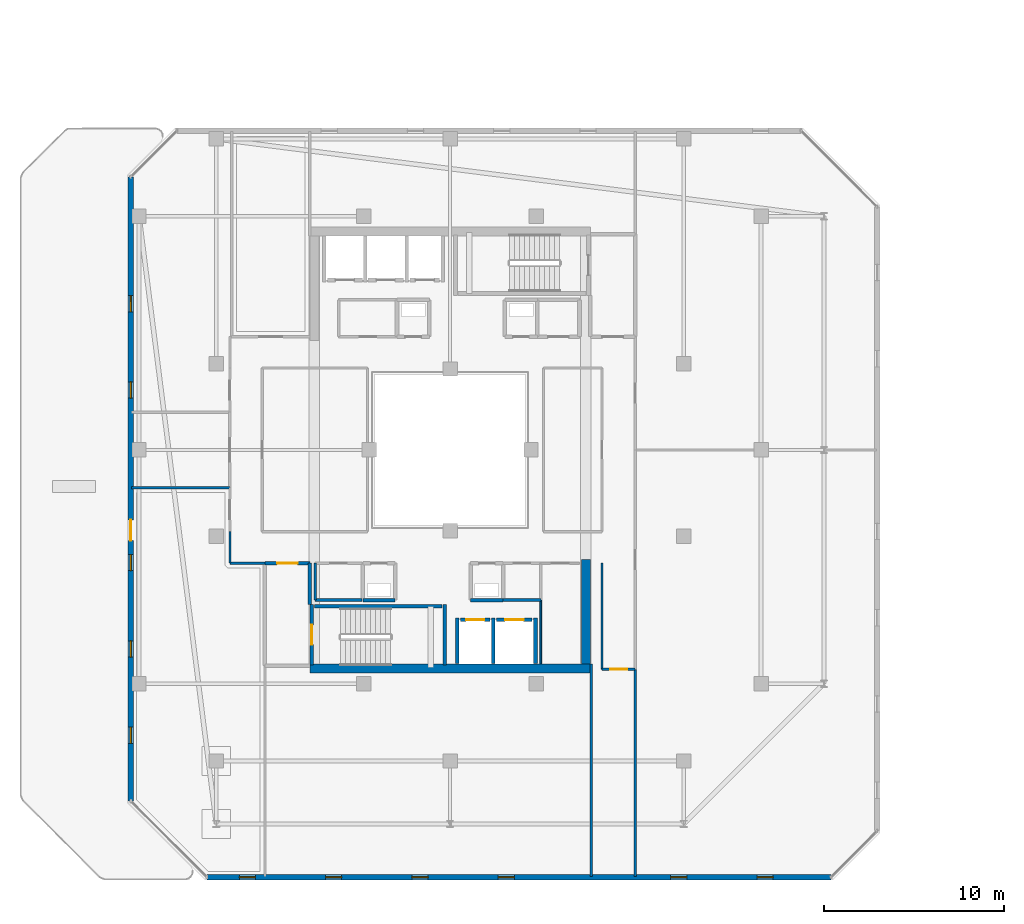
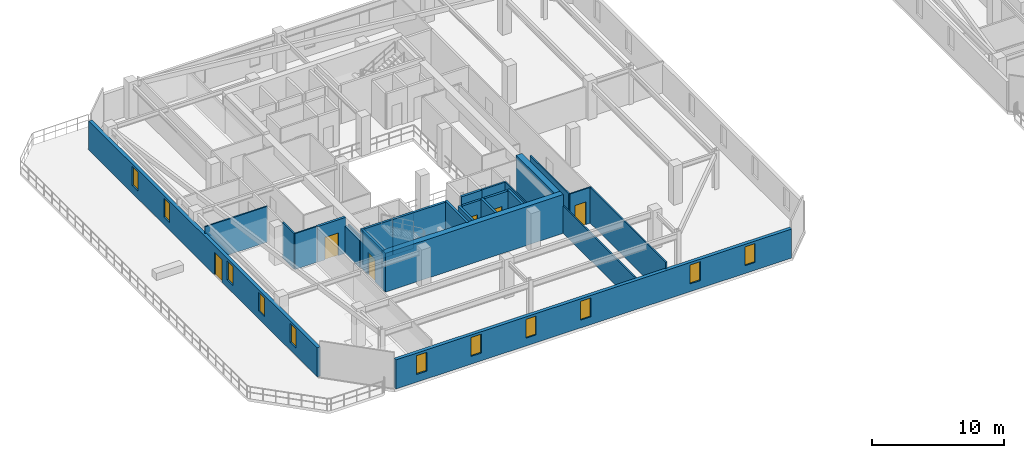
# One storey, part 18 of 31: 27 walls, 11 windows, 6 doors, 17 openings.
"""IFC4 building model written with IfcOpenShell, lengths in metres."""

from ifc_helpers import new_model, si_unit, direction, frame, frame_2d, origin, place, context, subcontext, project, spatial, rectangle, extrude, material, layer, layer_set, type_object, element, fill, save


model = new_model("IFC4")

# Units and contexts
model_context = context("Model", 3, precision=1e-05, world=origin(), true_north=direction((0.0, 1.0)))
body_context = subcontext(model_context, "Body", "Model", "MODEL_VIEW")
ifc_project = project(units=[si_unit("LENGTHUNIT", "METRE"), si_unit("AREAUNIT", "SQUARE_METRE"), si_unit("VOLUMEUNIT", "CUBIC_METRE"), si_unit("PLANEANGLEUNIT", "RADIAN"), si_unit("MASSUNIT", "GRAM", prefix="KILO")], contexts=[model_context])

# Site, building, storey
site_placement = place(None, origin())
site = spatial("IfcSite", under=ifc_project, at=site_placement, CompositionType="ELEMENT")
building_placement = place(site_placement, origin())
building = spatial("IfcBuilding", under=site, at=building_placement, Name="Thornwick Lancets Civic Towers", CompositionType="ELEMENT")
storey_placement = place(building_placement, frame((0.0, 0.0, 254.699951171875)))
storey = spatial("IfcBuildingStorey", under=building, at=storey_placement, Name="L68", CompositionType="ELEMENT", Elevation=254.699951171875)

# Wall, opening, door
ifc_material_1 = material(Name="Concrete blockwork C40/50", Category="masonry")
ifc_layer_1 = layer(ifc_material_1, 0.199951171875, Name="Concrete blockwork C40/50")
ifc_layer_set_1 = layer_set([ifc_layer_1], Name="Concrete blockwork C40/50")
wall_type_1 = type_object("IfcWallType", Name="WALL_COMP_200", PredefinedType="STANDARD", material=ifc_layer_set_1)
wall_1_placement = place(storey_placement, frame((26.080078125, 17.550048828125, 0.0), z_axis=(0.0, 0.0, 1.0), x_axis=(1.0, 0.0, 0.0)))
wall_1 = element("IfcWall", 1, at=wall_1_placement, inside=storey, type_object=wall_type_1, Name="L68 Hoistway Front Wall FL-A1", PredefinedType="STANDARD", context=body_context, shape_type="SweptSolid", body=[
    extrude(rectangle(XDim=1.639892578125, YDim=0.199951171875, at=frame_2d((0.81982421875, 0.0))), origin(), (0.0, 0.0, 1.0), 3.320068359375),
])
opening_1_placement = place(wall_1_placement, frame((0.31005859375, 0.0, 0.0)))
opening_1 = element("IfcOpeningElement", 2, at=opening_1_placement, cuts=wall_1, Name="Opening LD-FL-A1", PredefinedType="OPENING", context=body_context, shape_type="SweptSolid", body=[
    extrude(rectangle(XDim=1.02001953125, YDim=2.06005859375, at=frame_2d((0.510009765625, 1.030029296875))), frame((0.0, 0.10986328125, 0.0), z_axis=(0.0, -1.0, 0.0), x_axis=(1.0, 0.0, 0.0)), (0.0, 0.0, 1.0), 0.219970703125),
])
ifc_material_2 = material(Name="Brushed bronze stainless steel", Category="steel")
door_type_1 = type_object("IfcDoorType", Name="DOOR_LIFT_SLIDE", OperationType="SLIDING_TO_LEFT", PredefinedType="DOOR", material=ifc_material_2)
door_1_placement = place(opening_1_placement, origin())
door_1 = element("IfcDoor", 3, at=door_1_placement, inside=storey, type_object=door_type_1, Name="L68 Sliding Lift Landing Door LD-FL-A1", OperationType="SLIDING_TO_LEFT", OverallHeight=2.06005859375, OverallWidth=1.02001953125, PredefinedType="DOOR", context=body_context, shape_type="SweptSolid", body=[
    extrude(rectangle(XDim=1.02001953125, YDim=2.06005859375, at=frame_2d((0.510009765625, 1.030029296875))), frame((0.0, 0.02490234375, 0.0), z_axis=(0.0, -1.0, 0.0), x_axis=(1.0, 0.0, 0.0)), (0.0, 0.0, 1.0), 0.050048828125),
])
fill(opening_1, door_1)

wall_2_placement = place(storey_placement, frame((28.080078125, 17.550048828125, 0.0), z_axis=(0.0, 0.0, 1.0), x_axis=(1.0, 0.0, 0.0)))
wall_2 = element("IfcWall", 4, at=wall_2_placement, inside=storey, type_object=wall_type_1, Name="L68 Hoistway Front Wall PL-AH1", PredefinedType="STANDARD", context=body_context, shape_type="SweptSolid", body=[
    extrude(rectangle(XDim=1.989990234375, YDim=0.199951171875, at=frame_2d((0.9951171875, 0.0))), origin(), (0.0, 0.0, 1.0), 3.320068359375),
])
opening_2_placement = place(wall_2_placement, frame((0.485107421875, 0.0, 0.0)))
opening_2 = element("IfcOpeningElement", 5, at=opening_2_placement, cuts=wall_2, Name="Opening LD-PL-AH1", PredefinedType="OPENING", context=body_context, shape_type="SweptSolid", body=[
    extrude(rectangle(XDim=1.02001953125, YDim=2.06005859375, at=frame_2d((0.510009765625, 1.030029296875))), frame((0.0, 0.10986328125, 0.0), z_axis=(0.0, -1.0, 0.0), x_axis=(1.0, 0.0, 0.0)), (0.0, 0.0, 1.0), 0.219970703125),
])
door_2_placement = place(opening_2_placement, origin())
door_2 = element("IfcDoor", 6, at=door_2_placement, inside=storey, type_object=door_type_1, Name="L68 Sliding Lift Landing Door LD-PL-AH1", OperationType="SLIDING_TO_LEFT", OverallHeight=2.06005859375, OverallWidth=1.02001953125, PredefinedType="DOOR", context=body_context, shape_type="SweptSolid", body=[
    extrude(rectangle(XDim=1.02001953125, YDim=2.06005859375, at=frame_2d((0.510009765625, 1.030029296875))), frame((0.0, 0.02490234375, 0.0), z_axis=(0.0, -1.0, 0.0), x_axis=(1.0, 0.0, 0.0)), (0.0, 0.0, 1.0), 0.050048828125),
])
fill(opening_2, door_2)

# Walls
for number, where, z_axis, x_axis, name in (
    (7, (27.89990234375, 15.112060546875, 0.0), (0.0, 0.0, 1.0), (0.0, 1.0, 0.0), "L68 Hoistway Shaft Wall FL-A1 E"),
    (8, (25.89990234375, 15.112060546875, 0.0), (0.0, 0.0, 1.0), (0.0, 1.0, 0.0), "L68 Hoistway Shaft Wall FL-A1 W"),
    (9, (30.25, 15.112060546875, 0.0), (0.0, 0.0, 1.0), (0.0, 1.0, 0.0), "L68 Hoistway Shaft Wall PL-AH1 E"),
):
    element("IfcWall", number, at=place(storey_placement, frame(where, z_axis=z_axis, x_axis=x_axis)), inside=storey, type_object=wall_type_1, Name=name, PredefinedType="STANDARD", context=body_context, shape_type="SweptSolid", body=[
        extrude(rectangle(XDim=2.535888671875, YDim=0.199951171875, at=frame_2d((1.26806640625, 0.0))), origin(), (0.0, 0.0, 1.0), 3.320068359375),
    ])
wall_3_placement = place(storey_placement, frame((17.699951171875, 18.39990234375, 0.0), z_axis=(0.0, 0.0, 1.0), x_axis=(0.0, 1.0, 0.0)))
element("IfcWall", 10, at=wall_3_placement, inside=storey, type_object=wall_type_1, Name="L68 Partition L68-A-FFLOB1 E2", PredefinedType="STANDARD", context=body_context, shape_type="SweptSolid", body=[
    extrude(rectangle(XDim=2.300048828125, YDim=0.199951171875, at=frame_2d((1.14990234375, 0.0))), origin(), (0.0, 0.0, 1.0), 2.525146484375),
])

# Wall, opening, door
wall_4_placement = place(storey_placement, frame((17.699951171875, 20.699951171875, 0.0), z_axis=(0.0, 0.0, 1.0), x_axis=(-1.0, 0.0, 0.0)))
wall_4 = element("IfcWall", 11, at=wall_4_placement, inside=storey, type_object=wall_type_1, Name="L68 Partition L68-A-FFLOB1 E3", PredefinedType="STANDARD", context=body_context, shape_type="SweptSolid", body=[
    extrude(rectangle(XDim=2.5, YDim=0.199951171875, at=frame_2d((1.25, 0.0))), origin(), (0.0, 0.0, 1.0), 3.320068359375),
])
opening_3_placement = place(wall_4_placement, frame((0.675048828125, 0.0, 0.0)))
opening_3 = element("IfcOpeningElement", 12, at=opening_3_placement, cuts=wall_4, Name="Opening D-L68-3091", PredefinedType="OPENING", context=body_context, shape_type="SweptSolid", body=[
    extrude(rectangle(XDim=1.14990234375, YDim=2.10009765625, at=frame_2d((0.574951171875, 1.050048828125))), frame((0.0, 0.10986328125, 0.0), z_axis=(0.0, -1.0, 0.0), x_axis=(1.0, 0.0, 0.0)), (0.0, 0.0, 1.0), 0.219970703125),
])
ifc_material_3 = material(Name="Glazed fire-resisting steel", Category="steel")
door_type_2 = type_object("IfcDoorType", Name="DOOR_LOBBY_FD60", OperationType="NOTDEFINED", PredefinedType="DOOR", material=ifc_material_3)
door_3_placement = place(opening_3_placement, origin())
door_3 = element("IfcDoor", 13, at=door_3_placement, inside=storey, type_object=door_type_2, Name="L68 South Firefighting Lobby 1 Door", OperationType="SINGLE_SWING_RIGHT", OverallHeight=2.10009765625, OverallWidth=1.14990234375, PredefinedType="DOOR", context=body_context, shape_type="SweptSolid", body=[
    extrude(rectangle(XDim=1.14990234375, YDim=2.10009765625, at=frame_2d((0.574951171875, 1.050048828125))), frame((0.0, 0.02490234375, 0.0), z_axis=(0.0, -1.0, 0.0), x_axis=(1.0, 0.0, 0.0)), (0.0, 0.0, 1.0), 0.050048828125),
])
fill(opening_3, door_3)

# Walls
for number, where, z_axis, x_axis, name in (
    (14, (26.64990234375, 18.64990234375, 0.0), (0.0, 0.0, 1.0), (1.0, 0.0, 0.0), "L68 Partition L68-A-DUCT1 E1"),
    (15, (20.64990234375, 18.64990234375, 0.0), (0.0, 0.0, 1.0), (1.0, 0.0, 0.0), "L68 Partition L68-A-RISER1 E1"),
):
    element("IfcWall", number, at=place(storey_placement, frame(where, z_axis=z_axis, x_axis=x_axis)), inside=storey, type_object=wall_type_1, Name=name, PredefinedType="STANDARD", context=body_context, shape_type="SweptSolid", body=[
        extrude(rectangle(XDim=1.800048828125, YDim=0.199951171875, at=frame_2d((0.89990234375, 0.0))), origin(), (0.0, 0.0, 1.0), 3.320068359375),
    ])
ifc_material_4 = material(Name="Concrete C50/60", Category="concrete")
ifc_layer_2 = layer(ifc_material_4, 0.5, Name="Concrete C50/60")
ifc_layer_set_2 = layer_set([ifc_layer_2], Name="Concrete C50/60")
wall_type_2 = type_object("IfcWallType", Name="WALL_CORE_500", PredefinedType="SHEAR", material=ifc_layer_set_2)
wall_5_placement = place(storey_placement, frame((17.699951171875, 14.85009765625, 0.0), z_axis=(0.0, 0.0, 1.0), x_axis=(1.0, 0.0, 0.0)))
element("IfcWall", 16, at=wall_5_placement, inside=storey, type_object=wall_type_2, Name="L68 Split Core A1 Shear Wall S", PredefinedType="SHEAR", context=body_context, shape_type="SweptSolid", body=[
    extrude(rectangle(XDim=15.60009765625, YDim=0.5, at=frame_2d((7.800048828125, 0.0))), origin(), (0.0, 0.0, 1.0), 3.60009765625),
])
wall_6_placement = place(storey_placement, frame((33.050048828125, 15.10009765625, 0.0), z_axis=(0.0, 0.0, 1.0), x_axis=(0.0, 1.0, 0.0)))
element("IfcWall", 17, at=wall_6_placement, inside=storey, type_object=wall_type_2, Name="L68 Split Core A1 Shear Wall E", PredefinedType="SHEAR", context=body_context, shape_type="SweptSolid", body=[
    extrude(rectangle(XDim=5.7998046875, YDim=0.5, at=frame_2d((2.89990234375, 0.0))), origin(), (0.0, 0.0, 1.0), 3.60009765625),
])

# Wall, openings, windows
ifc_material_5 = material(Name="Insulated russet terracotta rainscreen on concrete C40/50", Category="masonry")
ifc_layer_3 = layer(ifc_material_5, 0.300048828125, Name="Insulated russet terracotta rainscreen on concrete C40/50")
ifc_layer_set_3 = layer_set([ifc_layer_3], Name="Insulated russet terracotta rainscreen on concrete C40/50")
wall_type_3 = type_object("IfcWallType", Name="WALL_EXT_RUSSET_300", PredefinedType="STANDARD", material=ifc_layer_set_3)
wall_7_placement = place(storey_placement, frame((11.97412109375, 3.24072265625, 0.0), z_axis=(0.0, 0.0, 1.0), x_axis=(0.999999988026, -0.000154754115, 0.0)))
wall_7 = element("IfcWall", 18, at=wall_7_placement, inside=storey, type_object=wall_type_3, Name="L68 Tower A Terracotta Facade Wall E0", PredefinedType="STANDARD", context=body_context, shape_type="SweptSolid", body=[
    extrude(rectangle(XDim=34.707275390625, YDim=0.300048828125, at=frame_2d((17.353515625, 0.0))), origin(), (0.0, 0.0, 1.0), 2.699951171875),
])
opening_4_placement = place(wall_7_placement, frame((1.800048828125, 0.0, 0.719970703125)))
opening_4 = element("IfcOpeningElement", 19, at=opening_4_placement, cuts=wall_7, Name="Opening WL-01", PredefinedType="OPENING", context=body_context, shape_type="SweptSolid", body=[
    extrude(rectangle(XDim=0.89990234375, YDim=1.75, at=frame_2d((0.449951171875, 0.875))), frame((0.0, 0.16015625, 0.0), z_axis=(0.0, -1.0, 0.0), x_axis=(1.0, 0.0, 0.0)), (0.0, 0.0, 1.0), 0.320068359375),
])
opening_5_placement = place(wall_7_placement, frame((6.60009765625, 0.0, 0.719970703125)))
opening_5 = element("IfcOpeningElement", 20, at=opening_5_placement, cuts=wall_7, Name="Opening WL-01", PredefinedType="OPENING", context=body_context, shape_type="SweptSolid", body=[
    extrude(rectangle(XDim=0.89990234375, YDim=1.75, at=frame_2d((0.449951171875, 0.875))), frame((0.0, 0.16015625, 0.0), z_axis=(0.0, -1.0, 0.0), x_axis=(1.0, 0.0, 0.0)), (0.0, 0.0, 1.0), 0.320068359375),
])
opening_6_placement = place(wall_7_placement, frame((11.39990234375, 0.0, 0.719970703125)))
opening_6 = element("IfcOpeningElement", 21, at=opening_6_placement, cuts=wall_7, Name="Opening WL-01", PredefinedType="OPENING", context=body_context, shape_type="SweptSolid", body=[
    extrude(rectangle(XDim=0.89990234375, YDim=1.75, at=frame_2d((0.449951171875, 0.875))), frame((0.0, 0.16015625, 0.0), z_axis=(0.0, -1.0, 0.0), x_axis=(1.0, 0.0, 0.0)), (0.0, 0.0, 1.0), 0.320068359375),
])
opening_7_placement = place(wall_7_placement, frame((16.199951171875, 0.0, 0.719970703125)))
opening_7 = element("IfcOpeningElement", 22, at=opening_7_placement, cuts=wall_7, Name="Opening WL-01", PredefinedType="OPENING", context=body_context, shape_type="SweptSolid", body=[
    extrude(rectangle(XDim=0.89990234375, YDim=1.75, at=frame_2d((0.449951171875, 0.875))), frame((0.0, 0.16015625, 0.0), z_axis=(0.0, -1.0, 0.0), x_axis=(1.0, 0.0, 0.0)), (0.0, 0.0, 1.0), 0.320068359375),
])
opening_8_placement = place(wall_7_placement, frame((25.800048828125, 0.0, 0.719970703125)))
opening_8 = element("IfcOpeningElement", 23, at=opening_8_placement, cuts=wall_7, Name="Opening WL-01", PredefinedType="OPENING", context=body_context, shape_type="SweptSolid", body=[
    extrude(rectangle(XDim=0.89990234375, YDim=1.75, at=frame_2d((0.449951171875, 0.875))), frame((0.0, 0.16015625, 0.0), z_axis=(0.0, -1.0, 0.0), x_axis=(1.0, 0.0, 0.0)), (0.0, 0.0, 1.0), 0.320068359375),
])
opening_9_placement = place(wall_7_placement, frame((30.60009765625, 0.0, 0.719970703125)))
opening_9 = element("IfcOpeningElement", 24, at=opening_9_placement, cuts=wall_7, Name="Opening WL-01", PredefinedType="OPENING", context=body_context, shape_type="SweptSolid", body=[
    extrude(rectangle(XDim=0.89990234375, YDim=1.75, at=frame_2d((0.449951171875, 0.875))), frame((0.0, 0.16015625, 0.0), z_axis=(0.0, -1.0, 0.0), x_axis=(1.0, 0.0, 0.0)), (0.0, 0.0, 1.0), 0.320068359375),
])
ifc_material_6 = material(Name="Clear low-e double glazing in bronze frame", Category="glass")
window_type = type_object("IfcWindowType", Name="WIN_LANCET_900", PartitioningType="SINGLE_PANEL", PredefinedType="WINDOW", material=ifc_material_6)
window_1_placement = place(opening_4_placement, origin())
window_1 = element("IfcWindow", 25, at=window_1_placement, inside=storey, type_object=window_type, Name="L68 Tower A Staggered Lancet Window E0-1", OverallHeight=1.75, OverallWidth=0.89990234375, PartitioningType="SINGLE_PANEL", PredefinedType="WINDOW", context=body_context, shape_type="SweptSolid", body=[
    extrude(rectangle(XDim=0.89990234375, YDim=1.75, at=frame_2d((0.449951171875, 0.875))), frame((0.0, 0.030029296875, 0.0), z_axis=(0.0, -1.0, 0.0), x_axis=(1.0, 0.0, 0.0)), (0.0, 0.0, 1.0), 0.06005859375),
])
fill(opening_4, window_1)
window_2_placement = place(opening_5_placement, origin())
window_2 = element("IfcWindow", 26, at=window_2_placement, inside=storey, type_object=window_type, Name="L68 Tower A Staggered Lancet Window E0-2", OverallHeight=1.75, OverallWidth=0.89990234375, PartitioningType="SINGLE_PANEL", PredefinedType="WINDOW", context=body_context, shape_type="SweptSolid", body=[
    extrude(rectangle(XDim=0.89990234375, YDim=1.75, at=frame_2d((0.449951171875, 0.875))), frame((0.0, 0.030029296875, 0.0), z_axis=(0.0, -1.0, 0.0), x_axis=(1.0, 0.0, 0.0)), (0.0, 0.0, 1.0), 0.06005859375),
])
fill(opening_5, window_2)
window_3_placement = place(opening_6_placement, origin())
window_3 = element("IfcWindow", 27, at=window_3_placement, inside=storey, type_object=window_type, Name="L68 Tower A Staggered Lancet Window E0-3", OverallHeight=1.75, OverallWidth=0.89990234375, PartitioningType="SINGLE_PANEL", PredefinedType="WINDOW", context=body_context, shape_type="SweptSolid", body=[
    extrude(rectangle(XDim=0.89990234375, YDim=1.75, at=frame_2d((0.449951171875, 0.875))), frame((0.0, 0.030029296875, 0.0), z_axis=(0.0, -1.0, 0.0), x_axis=(1.0, 0.0, 0.0)), (0.0, 0.0, 1.0), 0.06005859375),
])
fill(opening_6, window_3)
window_4_placement = place(opening_7_placement, origin())
window_4 = element("IfcWindow", 28, at=window_4_placement, inside=storey, type_object=window_type, Name="L68 Tower A Staggered Lancet Window E0-4", OverallHeight=1.75, OverallWidth=0.89990234375, PartitioningType="SINGLE_PANEL", PredefinedType="WINDOW", context=body_context, shape_type="SweptSolid", body=[
    extrude(rectangle(XDim=0.89990234375, YDim=1.75, at=frame_2d((0.449951171875, 0.875))), frame((0.0, 0.030029296875, 0.0), z_axis=(0.0, -1.0, 0.0), x_axis=(1.0, 0.0, 0.0)), (0.0, 0.0, 1.0), 0.06005859375),
])
fill(opening_7, window_4)
window_5_placement = place(opening_8_placement, origin())
window_5 = element("IfcWindow", 29, at=window_5_placement, inside=storey, type_object=window_type, Name="L68 Tower A Staggered Lancet Window E0-5", OverallHeight=1.75, OverallWidth=0.89990234375, PartitioningType="SINGLE_PANEL", PredefinedType="WINDOW", context=body_context, shape_type="SweptSolid", body=[
    extrude(rectangle(XDim=0.89990234375, YDim=1.75, at=frame_2d((0.449951171875, 0.875))), frame((0.0, 0.030029296875, 0.0), z_axis=(0.0, -1.0, 0.0), x_axis=(1.0, 0.0, 0.0)), (0.0, 0.0, 1.0), 0.06005859375),
])
fill(opening_8, window_5)
window_6_placement = place(opening_9_placement, origin())
window_6 = element("IfcWindow", 30, at=window_6_placement, inside=storey, type_object=window_type, Name="L68 Tower A Staggered Lancet Window E0-6", OverallHeight=1.75, OverallWidth=0.89990234375, PartitioningType="SINGLE_PANEL", PredefinedType="WINDOW", context=body_context, shape_type="SweptSolid", body=[
    extrude(rectangle(XDim=0.89990234375, YDim=1.75, at=frame_2d((0.449951171875, 0.875))), frame((0.0, 0.030029296875, 0.0), z_axis=(0.0, -1.0, 0.0), x_axis=(1.0, 0.0, 0.0)), (0.0, 0.0, 1.0), 0.06005859375),
])
fill(opening_9, window_6)

# Wall, openings, door, windows
wall_8_placement = place(storey_placement, frame((7.7353515625, 42.181396484375, 0.0), z_axis=(0.0, 0.0, 1.0), x_axis=(0.000154754115, -0.999999988026, 0.0)))
wall_8 = element("IfcWall", 31, at=wall_8_placement, inside=storey, type_object=wall_type_3, Name="L68 Tower A Terracotta Facade Wall E6", PredefinedType="STANDARD", context=body_context, shape_type="SweptSolid", body=[
    extrude(rectangle(XDim=34.707275390625, YDim=0.300048828125, at=frame_2d((17.353515625, 0.0))), origin(), (0.0, 0.0, 1.0), 2.699951171875),
])
opening_10_placement = place(wall_8_placement, frame((19.07861328125, 0.0, 0.0)))
opening_10 = element("IfcOpeningElement", 32, at=opening_10_placement, cuts=wall_8, Name="Opening D-SG-L68-A6", PredefinedType="OPENING", context=body_context, shape_type="SweptSolid", body=[
    extrude(rectangle(XDim=1.14990234375, YDim=2.10009765625, at=frame_2d((0.574951171875, 1.050048828125))), frame((0.0, 0.16015625, 0.0), z_axis=(0.0, -1.0, 0.0), x_axis=(1.0, 0.0, 0.0)), (0.0, 0.0, 1.0), 0.320068359375),
])
opening_11_placement = place(wall_8_placement, frame((6.60009765625, 0.0, 0.719970703125)))
opening_11 = element("IfcOpeningElement", 33, at=opening_11_placement, cuts=wall_8, Name="Opening WL-01", PredefinedType="OPENING", context=body_context, shape_type="SweptSolid", body=[
    extrude(rectangle(XDim=0.89990234375, YDim=1.75, at=frame_2d((0.449951171875, 0.875))), frame((0.0, 0.16015625, 0.0), z_axis=(0.0, -1.0, 0.0), x_axis=(1.0, 0.0, 0.0)), (0.0, 0.0, 1.0), 0.320068359375),
])
opening_12_placement = place(wall_8_placement, frame((11.39990234375, 0.0, 0.719970703125)))
opening_12 = element("IfcOpeningElement", 34, at=opening_12_placement, cuts=wall_8, Name="Opening WL-01", PredefinedType="OPENING", context=body_context, shape_type="SweptSolid", body=[
    extrude(rectangle(XDim=0.89990234375, YDim=1.75, at=frame_2d((0.449951171875, 0.875))), frame((0.0, 0.16015625, 0.0), z_axis=(0.0, -1.0, 0.0), x_axis=(1.0, 0.0, 0.0)), (0.0, 0.0, 1.0), 0.320068359375),
])
opening_13_placement = place(wall_8_placement, frame((21.0, 0.0, 0.719970703125)))
opening_13 = element("IfcOpeningElement", 35, at=opening_13_placement, cuts=wall_8, Name="Opening WL-01", PredefinedType="OPENING", context=body_context, shape_type="SweptSolid", body=[
    extrude(rectangle(XDim=0.89990234375, YDim=1.75, at=frame_2d((0.449951171875, 0.875))), frame((0.0, 0.16015625, 0.0), z_axis=(0.0, -1.0, 0.0), x_axis=(1.0, 0.0, 0.0)), (0.0, 0.0, 1.0), 0.320068359375),
])
opening_14_placement = place(wall_8_placement, frame((25.800048828125, 0.0, 0.719970703125)))
opening_14 = element("IfcOpeningElement", 36, at=opening_14_placement, cuts=wall_8, Name="Opening WL-01", PredefinedType="OPENING", context=body_context, shape_type="SweptSolid", body=[
    extrude(rectangle(XDim=0.89990234375, YDim=1.75, at=frame_2d((0.449951171875, 0.875))), frame((0.0, 0.16015625, 0.0), z_axis=(0.0, -1.0, 0.0), x_axis=(1.0, 0.0, 0.0)), (0.0, 0.0, 1.0), 0.320068359375),
])
opening_15_placement = place(wall_8_placement, frame((30.60009765625, 0.0, 0.719970703125)))
opening_15 = element("IfcOpeningElement", 37, at=opening_15_placement, cuts=wall_8, Name="Opening WL-01", PredefinedType="OPENING", context=body_context, shape_type="SweptSolid", body=[
    extrude(rectangle(XDim=0.89990234375, YDim=1.75, at=frame_2d((0.449951171875, 0.875))), frame((0.0, 0.16015625, 0.0), z_axis=(0.0, -1.0, 0.0), x_axis=(1.0, 0.0, 0.0)), (0.0, 0.0, 1.0), 0.320068359375),
])
ifc_material_7 = material(Name="Thermally broken glazed terrace doorset")
door_type_3 = type_object("IfcDoorType", Name="DOOR_TERRACE_1200", OperationType="NOTDEFINED", PredefinedType="DOOR", material=ifc_material_7)
door_4_placement = place(opening_10_placement, origin())
door_4 = element("IfcDoor", 38, at=door_4_placement, inside=storey, type_object=door_type_3, Name="L68 Tower A Sky-Garden Terrace Door", OperationType="SINGLE_SWING_RIGHT", OverallHeight=2.10009765625, OverallWidth=1.14990234375, PredefinedType="DOOR", context=body_context, shape_type="SweptSolid", body=[
    extrude(rectangle(XDim=1.14990234375, YDim=2.10009765625, at=frame_2d((0.574951171875, 1.050048828125))), frame((0.0, 0.02490234375, 0.0), z_axis=(0.0, -1.0, 0.0), x_axis=(1.0, 0.0, 0.0)), (0.0, 0.0, 1.0), 0.050048828125),
])
fill(opening_10, door_4)
window_7_placement = place(opening_11_placement, origin())
window_7 = element("IfcWindow", 39, at=window_7_placement, inside=storey, type_object=window_type, Name="L68 Tower A Staggered Lancet Window E6-1", OverallHeight=1.75, OverallWidth=0.89990234375, PartitioningType="SINGLE_PANEL", PredefinedType="WINDOW", context=body_context, shape_type="SweptSolid", body=[
    extrude(rectangle(XDim=0.89990234375, YDim=1.75, at=frame_2d((0.449951171875, 0.875))), frame((0.0, 0.030029296875, 0.0), z_axis=(0.0, -1.0, 0.0), x_axis=(1.0, 0.0, 0.0)), (0.0, 0.0, 1.0), 0.06005859375),
])
fill(opening_11, window_7)
window_8_placement = place(opening_12_placement, origin())
window_8 = element("IfcWindow", 40, at=window_8_placement, inside=storey, type_object=window_type, Name="L68 Tower A Staggered Lancet Window E6-2", OverallHeight=1.75, OverallWidth=0.89990234375, PartitioningType="SINGLE_PANEL", PredefinedType="WINDOW", context=body_context, shape_type="SweptSolid", body=[
    extrude(rectangle(XDim=0.89990234375, YDim=1.75, at=frame_2d((0.449951171875, 0.875))), frame((0.0, 0.030029296875, 0.0), z_axis=(0.0, -1.0, 0.0), x_axis=(1.0, 0.0, 0.0)), (0.0, 0.0, 1.0), 0.06005859375),
])
fill(opening_12, window_8)
window_9_placement = place(opening_13_placement, origin())
window_9 = element("IfcWindow", 41, at=window_9_placement, inside=storey, type_object=window_type, Name="L68 Tower A Staggered Lancet Window E6-3", OverallHeight=1.75, OverallWidth=0.89990234375, PartitioningType="SINGLE_PANEL", PredefinedType="WINDOW", context=body_context, shape_type="SweptSolid", body=[
    extrude(rectangle(XDim=0.89990234375, YDim=1.75, at=frame_2d((0.449951171875, 0.875))), frame((0.0, 0.030029296875, 0.0), z_axis=(0.0, -1.0, 0.0), x_axis=(1.0, 0.0, 0.0)), (0.0, 0.0, 1.0), 0.06005859375),
])
fill(opening_13, window_9)
window_10_placement = place(opening_14_placement, origin())
window_10 = element("IfcWindow", 42, at=window_10_placement, inside=storey, type_object=window_type, Name="L68 Tower A Staggered Lancet Window E6-4", OverallHeight=1.75, OverallWidth=0.89990234375, PartitioningType="SINGLE_PANEL", PredefinedType="WINDOW", context=body_context, shape_type="SweptSolid", body=[
    extrude(rectangle(XDim=0.89990234375, YDim=1.75, at=frame_2d((0.449951171875, 0.875))), frame((0.0, 0.030029296875, 0.0), z_axis=(0.0, -1.0, 0.0), x_axis=(1.0, 0.0, 0.0)), (0.0, 0.0, 1.0), 0.06005859375),
])
fill(opening_14, window_10)
window_11_placement = place(opening_15_placement, origin())
window_11 = element("IfcWindow", 43, at=window_11_placement, inside=storey, type_object=window_type, Name="L68 Tower A Staggered Lancet Window E6-5", OverallHeight=1.75, OverallWidth=0.89990234375, PartitioningType="SINGLE_PANEL", PredefinedType="WINDOW", context=body_context, shape_type="SweptSolid", body=[
    extrude(rectangle(XDim=0.89990234375, YDim=1.75, at=frame_2d((0.449951171875, 0.875))), frame((0.0, 0.030029296875, 0.0), z_axis=(0.0, -1.0, 0.0), x_axis=(1.0, 0.0, 0.0)), (0.0, 0.0, 1.0), 0.06005859375),
])
fill(opening_15, window_11)

# Walls
ifc_material_8 = material(Name="Lightweight cellular office partition")
ifc_layer_4 = layer(ifc_material_8, 0.10009765625, Name="Lightweight cellular office partition")
ifc_layer_set_4 = layer_set([ifc_layer_4], Name="Lightweight cellular office partition")
wall_type_4 = type_object("IfcWallType", Name="WALL_PART_100", PredefinedType="PARTITIONING", material=ifc_layer_set_4)
wall_9_placement = place(storey_placement, frame((30.550048828125, 15.10009765625, 0.0), z_axis=(0.0, 0.0, 1.0), x_axis=(0.0, 1.0, 0.0)))
element("IfcWall", 44, at=wall_9_placement, inside=storey, type_object=wall_type_4, Name="L68 Partition L68-A-CLN E3", PredefinedType="PARTITIONING", context=body_context, shape_type="SweptSolid", body=[
    extrude(rectangle(XDim=3.5498046875, YDim=0.10009765625, at=frame_2d((1.77490234375, 0.0))), origin(), (0.0, 0.0, 1.0), 3.320068359375),
])
ifc_material_9 = material(Name="Acoustic gypsum board partition")
ifc_layer_5 = layer(ifc_material_9, 0.1201171875, Name="Acoustic gypsum board partition")
ifc_layer_set_5 = layer_set([ifc_layer_5], Name="Acoustic gypsum board partition")
wall_type_5 = type_object("IfcWallType", Name="WALL_PART_120", PredefinedType="PARTITIONING", material=ifc_layer_set_5)
wall_10_placement = place(storey_placement, frame((33.949951171875, 20.699951171875, 0.0), z_axis=(0.0, 0.0, 1.0), x_axis=(0.0, -1.0, 0.0)))
element("IfcWall", 45, at=wall_10_placement, inside=storey, type_object=wall_type_5, Name="L68 Partition L68-A-RECLAIM-L E1", PredefinedType="PARTITIONING", context=body_context, shape_type="SweptSolid", body=[
    extrude(rectangle(XDim=5.89990234375, YDim=0.1201171875, at=frame_2d((2.949951171875, 0.0))), origin(), (0.0, 0.0, 1.0), 3.320068359375),
])

# Wall, opening, door
wall_11_placement = place(storey_placement, frame((33.949951171875, 14.800048828125, 0.0), z_axis=(0.0, 0.0, 1.0), x_axis=(1.0, 0.0, 0.0)))
wall_11 = element("IfcWall", 46, at=wall_11_placement, inside=storey, type_object=wall_type_5, Name="L68 Partition L68-A-RECLAIM-L E2", PredefinedType="PARTITIONING", context=body_context, shape_type="SweptSolid", body=[
    extrude(rectangle(XDim=1.85009765625, YDim=0.1201171875, at=frame_2d((0.925048828125, 0.0))), origin(), (0.0, 0.0, 1.0), 3.320068359375),
])
opening_16_placement = place(wall_11_placement, frame((0.449951171875, 0.0, 0.0)))
opening_16 = element("IfcOpeningElement", 47, at=opening_16_placement, cuts=wall_11, Name="Opening D-L68-3113", PredefinedType="OPENING", context=body_context, shape_type="SweptSolid", body=[
    extrude(rectangle(XDim=0.949951171875, YDim=2.10009765625, at=frame_2d((0.47509765625, 1.050048828125))), frame((0.0, 0.070068359375, 0.0), z_axis=(0.0, -1.0, 0.0), x_axis=(1.0, 0.0, 0.0)), (0.0, 0.0, 1.0), 0.14013671875),
])
ifc_material_10 = material(Name="European oak acoustic doorset")
door_type_4 = type_object("IfcDoorType", Name="DOOR_OFFICE_950", OperationType="NOTDEFINED", PredefinedType="DOOR", material=ifc_material_10)
door_5_placement = place(opening_16_placement, origin())
door_5 = element("IfcDoor", 48, at=door_5_placement, inside=storey, type_object=door_type_4, Name="L68 Tower A Parliamentary Drafting Library Door", OperationType="SINGLE_SWING_RIGHT", OverallHeight=2.10009765625, OverallWidth=0.949951171875, PredefinedType="DOOR", context=body_context, shape_type="SweptSolid", body=[
    extrude(rectangle(XDim=0.949951171875, YDim=2.10009765625, at=frame_2d((0.47509765625, 1.050048828125))), frame((0.0, 0.02490234375, 0.0), z_axis=(0.0, -1.0, 0.0), x_axis=(1.0, 0.0, 0.0)), (0.0, 0.0, 1.0), 0.050048828125),
])
fill(opening_16, door_5)

# Walls
wall_12_placement = place(storey_placement, frame((35.800048828125, 14.800048828125, 0.0), z_axis=(0.0, 0.0, 1.0), x_axis=(0.0, -1.0, 0.0)))
element("IfcWall", 49, at=wall_12_placement, inside=storey, type_object=wall_type_5, Name="L68 Partition L68-A-RECLAIM-L E3", PredefinedType="PARTITIONING", context=body_context, shape_type="SweptSolid", body=[
    extrude(rectangle(XDim=11.52001953125, YDim=0.1201171875, at=frame_2d((5.760009765625, 0.0))), origin(), (0.0, 0.0, 1.0), 3.320068359375),
])
wall_13_placement = place(storey_placement, frame((33.35009765625, 3.280029296875, 0.0), z_axis=(0.0, 0.0, 1.0), x_axis=(0.0, 1.0, 0.0)))
element("IfcWall", 50, at=wall_13_placement, inside=storey, type_object=wall_type_5, Name="L68 Partition L68-A-RECLAIM-L E5", PredefinedType="PARTITIONING", context=body_context, shape_type="SweptSolid", body=[
    extrude(rectangle(XDim=11.820068359375, YDim=0.1201171875, at=frame_2d((5.91015625, 0.0))), origin(), (0.0, 0.0, 1.0), 2.525146484375),
])
wall_14_placement = place(storey_placement, frame((13.25, 22.449951171875, 0.0), z_axis=(0.0, 0.0, 1.0), x_axis=(0.0, -1.0, 0.0)))
element("IfcWall", 51, at=wall_14_placement, inside=storey, type_object=wall_type_5, Name="L68 Partition L68-A-W1 E2", PredefinedType="PARTITIONING", context=body_context, shape_type="SweptSolid", body=[
    extrude(rectangle(XDim=1.75, YDim=0.1201171875, at=frame_2d((0.875, 0.0))), origin(), (0.0, 0.0, 1.0), 3.320068359375),
])
wall_15_placement = place(storey_placement, frame((13.25, 20.699951171875, 0.0), z_axis=(0.0, 0.0, 1.0), x_axis=(1.0, 0.0, 0.0)))
element("IfcWall", 52, at=wall_15_placement, inside=storey, type_object=wall_type_5, Name="L68 Partition L68-A-W1 E3", PredefinedType="PARTITIONING", context=body_context, shape_type="SweptSolid", body=[
    extrude(rectangle(XDim=1.949951171875, YDim=0.1201171875, at=frame_2d((0.97509765625, 0.0))), origin(), (0.0, 0.0, 1.0), 3.320068359375),
])
wall_16_placement = place(storey_placement, frame((7.780029296875, 24.89990234375, 0.0), z_axis=(0.0, 0.0, 1.0), x_axis=(1.0, 0.0, 0.0)))
element("IfcWall", 53, at=wall_16_placement, inside=storey, type_object=wall_type_5, Name="L68 Partition L68-A-W1 E9", PredefinedType="PARTITIONING", context=body_context, shape_type="SweptSolid", body=[
    extrude(rectangle(XDim=5.469970703125, YDim=0.1201171875, at=frame_2d((2.73486328125, 0.0))), origin(), (0.0, 0.0, 1.0), 3.320068359375),
])
ifc_material_11 = material(Name="Twin-stud acoustic gypsum board")
ifc_layer_6 = layer(ifc_material_11, 0.14990234375, Name="Twin-stud acoustic gypsum board")
ifc_layer_set_6 = layer_set([ifc_layer_6], Name="Twin-stud acoustic gypsum board")
wall_type_6 = type_object("IfcWallType", Name="WALL_PART_150", PredefinedType="PARTITIONING", material=ifc_layer_set_6)
wall_17_placement = place(storey_placement, frame((18.0, 18.64990234375, 0.0), z_axis=(0.0, 0.0, 1.0), x_axis=(1.0, 0.0, 0.0)))
element("IfcWall", 54, at=wall_17_placement, inside=storey, type_object=wall_type_6, Name="L68 Partition L68-A-AWC E1", PredefinedType="PARTITIONING", context=body_context, shape_type="SweptSolid", body=[
    extrude(rectangle(XDim=2.60009765625, YDim=0.14990234375, at=frame_2d((1.300048828125, 0.0))), origin(), (0.0, 0.0, 1.0), 3.320068359375),
])
wall_18_placement = place(storey_placement, frame((18.0, 20.699951171875, 0.0), z_axis=(0.0, 0.0, 1.0), x_axis=(0.0, -1.0, 0.0)))
element("IfcWall", 55, at=wall_18_placement, inside=storey, type_object=wall_type_6, Name="L68 Partition L68-A-AWC E4", PredefinedType="PARTITIONING", context=body_context, shape_type="SweptSolid", body=[
    extrude(rectangle(XDim=2.050048828125, YDim=0.14990234375, at=frame_2d((1.02490234375, 0.0))), origin(), (0.0, 0.0, 1.0), 2.525146484375),
])
wall_19_placement = place(storey_placement, frame((30.550048828125, 18.64990234375, 0.0), z_axis=(0.0, 0.0, 1.0), x_axis=(-1.0, 0.0, 0.0)))
element("IfcWall", 56, at=wall_19_placement, inside=storey, type_object=wall_type_6, Name="L68 Partition L68-A-MWC E2", PredefinedType="PARTITIONING", context=body_context, shape_type="SweptSolid", body=[
    extrude(rectangle(XDim=2.10009765625, YDim=0.14990234375, at=frame_2d((1.050048828125, 0.0))), origin(), (0.0, 0.0, 1.0), 3.320068359375),
])

# Wall, opening, door
ifc_material_12 = material(Name="Concrete C40/50", Category="concrete")
ifc_layer_7 = layer(ifc_material_12, 0.199951171875, Name="Concrete C40/50")
ifc_layer_set_7 = layer_set([ifc_layer_7], Name="Concrete C40/50")
wall_type_7 = type_object("IfcWallType", Name="WALL_SHAFT_200", PredefinedType="SHEAR", material=ifc_layer_set_7)
wall_20_placement = place(storey_placement, frame((17.800048828125, 15.050048828125, 0.0), z_axis=(0.0, 0.0, 1.0), x_axis=(0.0, 1.0, 0.0)))
wall_20 = element("IfcWall", 57, at=wall_20_placement, inside=storey, type_object=wall_type_7, Name="L68 ST-A1 Fire Stair Core Wall NEAR", PredefinedType="SHEAR", context=body_context, shape_type="SweptSolid", body=[
    extrude(rectangle(XDim=3.349853515625, YDim=0.199951171875, at=frame_2d((1.6748046875, 0.0))), origin(), (0.0, 0.0, 1.0), 3.60009765625),
])
opening_17_placement = place(wall_20_placement, frame((1.125, 0.0, 0.0)))
opening_17 = element("IfcOpeningElement", 58, at=opening_17_placement, cuts=wall_20, Name="Opening D-ST-A1-L68", PredefinedType="OPENING", context=body_context, shape_type="SweptSolid", body=[
    extrude(rectangle(XDim=1.10009765625, YDim=2.10009765625, at=frame_2d((0.550048828125, 1.050048828125))), frame((0.0, 0.10986328125, 0.0), z_axis=(0.0, -1.0, 0.0), x_axis=(1.0, 0.0, 0.0)), (0.0, 0.0, 1.0), 0.219970703125),
])
ifc_material_13 = material(Name="Fire-resisting steel and hardwood", Category="steel")
door_type_5 = type_object("IfcDoorType", Name="DOOR_STAIR_FD60", OperationType="NOTDEFINED", PredefinedType="DOOR", material=ifc_material_13)
door_6_placement = place(opening_17_placement, origin())
door_6 = element("IfcDoor", 59, at=door_6_placement, inside=storey, type_object=door_type_5, Name="L68 ST-A1 Exit Stair Door", OperationType="SINGLE_SWING_RIGHT", OverallHeight=2.10009765625, OverallWidth=1.10009765625, PredefinedType="DOOR", context=body_context, shape_type="SweptSolid", body=[
    extrude(rectangle(XDim=1.10009765625, YDim=2.10009765625, at=frame_2d((0.550048828125, 1.050048828125))), frame((0.0, 0.02490234375, 0.0), z_axis=(0.0, -1.0, 0.0), x_axis=(1.0, 0.0, 0.0)), (0.0, 0.0, 1.0), 0.050048828125),
])
fill(opening_17, door_6)

# Walls
wall_21_placement = place(storey_placement, frame((25.199951171875, 18.39990234375, 0.0), z_axis=(0.0, 0.0, 1.0), x_axis=(0.0, -1.0, 0.0)))
element("IfcWall", 60, at=wall_21_placement, inside=storey, type_object=wall_type_7, Name="L68 ST-A1 Fire Stair Core Wall FAR", PredefinedType="SHEAR", context=body_context, shape_type="SweptSolid", body=[
    extrude(rectangle(XDim=3.349853515625, YDim=0.199951171875, at=frame_2d((1.6748046875, 0.0))), origin(), (0.0, 0.0, 1.0), 3.60009765625),
])
wall_22_placement = place(storey_placement, frame((25.050048828125, 18.297119140625, 0.0), z_axis=(0.0, 0.0, 1.0), x_axis=(-1.0, 0.0, 0.0)))
element("IfcWall", 61, at=wall_22_placement, inside=storey, type_object=wall_type_7, Name="L68 ST-A1 Fire Stair Core Wall RIGHT", PredefinedType="SHEAR", context=body_context, shape_type="SweptSolid", body=[
    extrude(rectangle(XDim=7.10009765625, YDim=0.199951171875, at=frame_2d((3.550048828125, 0.0))), origin(), (0.0, 0.0, 1.0), 3.60009765625),
])

save(model, "model.ifc")
